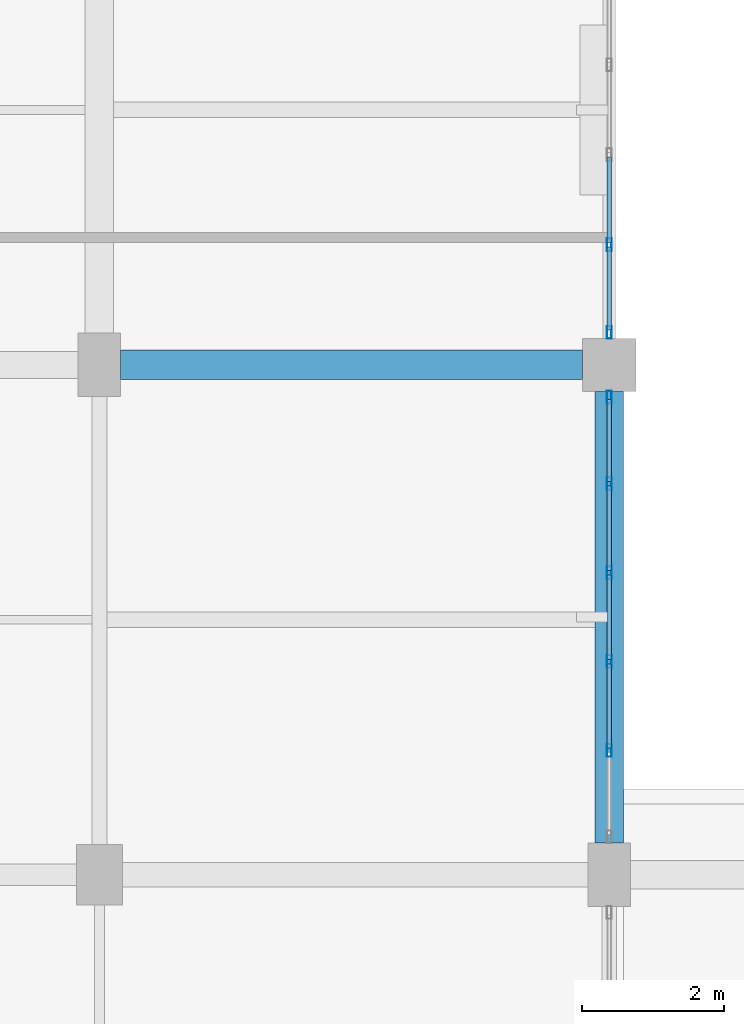
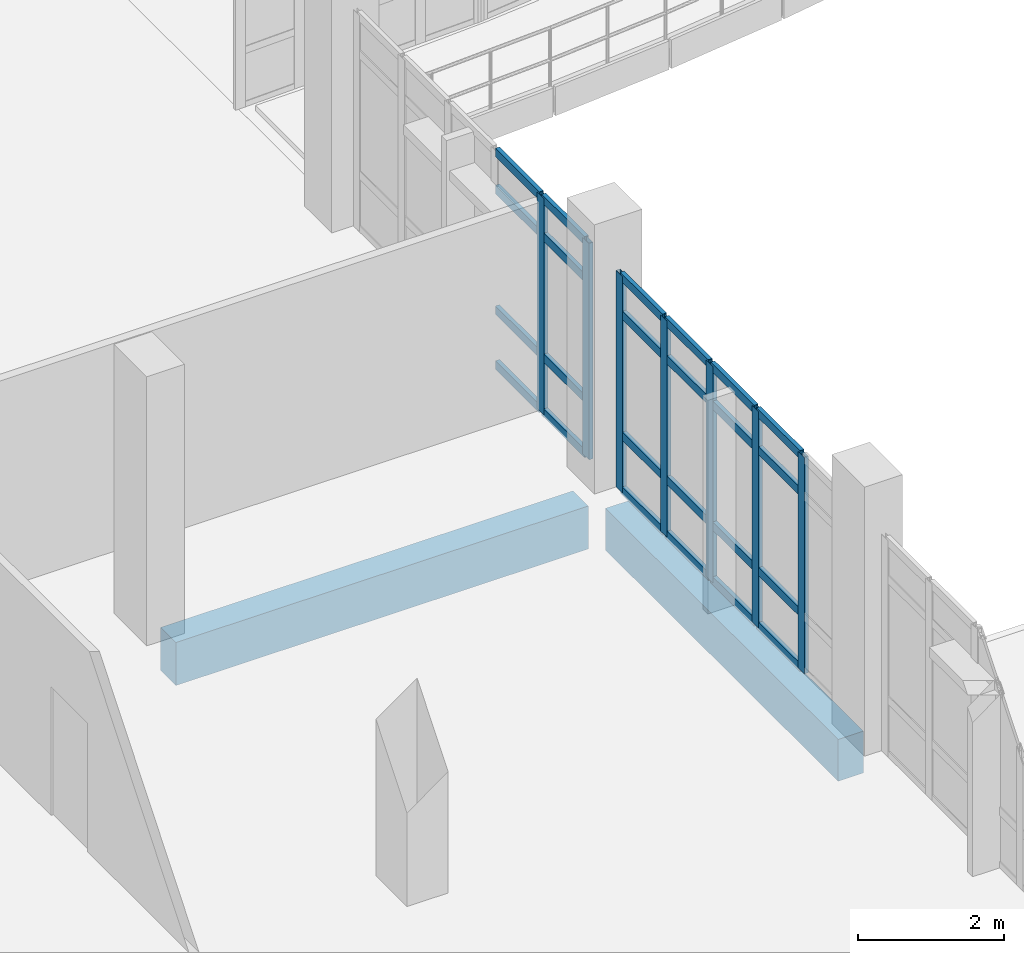
# One storey, part 19 of 134: 31 members, 2 beams, 2 elements without a shape of their own.
"""IFC4 building model written with IfcOpenShell, lengths in metres."""

from ifc_helpers import new_model, si_unit, direction, frame, origin, origin_2d, place, context, subcontext, project, spatial, rectangle, hollow_rectangle, extrude, material, material_profile, profile_set, type_object, element, aggregate, save


model = new_model("IFC4")

# Units and contexts
model_context = context("Model", 3, precision=1e-05, world=origin(), true_north=direction((0.0, 1.0)))
body_context = subcontext(model_context, "Body", "Model", "MODEL_VIEW")
ifc_project = project(units=[si_unit("LENGTHUNIT", "METRE"), si_unit("AREAUNIT", "SQUARE_METRE"), si_unit("VOLUMEUNIT", "CUBIC_METRE"), si_unit("PLANEANGLEUNIT", "RADIAN"), si_unit("MASSUNIT", "GRAM", prefix="KILO")], contexts=[model_context])

# Site, building, storey
site_placement = place(None, origin())
site = spatial("IfcSite", under=ifc_project, at=site_placement, CompositionType="ELEMENT")
building_placement = place(site_placement, origin())
building = spatial("IfcBuilding", under=site, at=building_placement, Name="Kalluvel Institute of Natural Sciences", CompositionType="ELEMENT")
storey_placement = place(building_placement, frame((0.0, 0.0, 5.39990234375)))
storey = spatial("IfcBuildingStorey", under=building, at=storey_placement, Name="L01", CompositionType="ELEMENT", Elevation=5.39990234375)

# Beams
ifc_material_1 = material(Name="Concrete M40", Category="concrete")
ifc_material_profile_1 = material_profile(ifc_material_1, rectangle(XDim=0.39990234375, YDim=0.699951171875, at=origin_2d()), Name="RCB 400x700")
ifc_profile_set_1 = profile_set([ifc_material_profile_1], Name="Concrete M40")
beam_type_1 = type_object("IfcBeamType", Name="BM-RC400x700", PredefinedType="BEAM", material=ifc_profile_set_1)
beam_1_placement = place(storey_placement, frame((35.60009765625, 36.050048828125, -0.64990234375), z_axis=(0.0, 1.0, 0.0), x_axis=(-1.0, 0.0, 0.0)))
element("IfcBeam", 1, at=beam_1_placement, inside=storey, type_object=beam_type_1, Name="L01 girder GIR-L01-NS-X356-Y356", PredefinedType="BEAM", context=body_context, shape_type="SweptSolid", body=[
    extrude(rectangle(XDim=0.39990234375, YDim=0.699951171875, at=origin_2d()), origin(), (0.0, 0.0, 1.0), 6.375),
])
ifc_material_profile_2 = material_profile(ifc_material_1, rectangle(XDim=0.419921875, YDim=0.719970703125, at=origin_2d()), Name="RCB 420x720")
ifc_profile_set_2 = profile_set([ifc_material_profile_2], Name="Concrete M40")
beam_type_2 = type_object("IfcBeamType", Name="BM-RC420x720", PredefinedType="BEAM", material=ifc_profile_set_2)
beam_2_placement = place(storey_placement, frame((28.699951171875, 42.800048828125, -0.659912109375), z_axis=(1.0, 0.0, 0.0), x_axis=(0.0, 1.0, 0.0)))
element("IfcBeam", 2, at=beam_2_placement, inside=storey, type_object=beam_type_2, Name="L01 girder GIR-L01-EW-X284-Y428", PredefinedType="BEAM", context=body_context, shape_type="SweptSolid", body=[
    extrude(rectangle(XDim=0.419921875, YDim=0.719970703125, at=origin_2d()), origin(), (0.0, 0.0, 1.0), 6.525146484375),
])

# Curtain wall, members
ifc_material_2 = material(Name="Aluminium AW-6063 T6", Category="aluminium")
curtain_wall_type = type_object("IfcCurtainWallType", Name="CW-DRY-45", PredefinedType="USERDEFINED", material=ifc_material_2)
curtain_wall_1_placement = place(storey_placement, origin())
curtain_wall_1 = element("IfcCurtainWall", 3, at=curtain_wall_1_placement, inside=storey, type_object=curtain_wall_type, Name="L01 Gothic lancet curtain wall CWA-L01-X356-Y361", ObjectType="UNITISED LANCET FACADE", PredefinedType="USERDEFINED")
ifc_material_profile_3 = material_profile(ifc_material_2, hollow_rectangle(XDim=0.06494140625, YDim=0.179931640625, WallThickness=0.00439453125, at=origin_2d()), Name="CWM 65x180")
ifc_profile_set_3 = profile_set([ifc_material_profile_3], Name="Aluminium AW-6063 T6")
member_type_1 = type_object("IfcMemberType", Name="CWM-65x180", PredefinedType="MULLION", material=ifc_profile_set_3)
member_1_placement = place(storey_placement, frame((35.60009765625, 37.35498046875, 0.0), z_axis=(0.0, 0.0, 1.0), x_axis=(-1.0, 0.0, 0.0)))
member_1 = element("IfcMember", 4, at=member_1_placement, type_object=member_type_1, Name="CW-03 mullion 2", PredefinedType="MULLION", context=body_context, shape_type="SweptSolid", body=[
    extrude(hollow_rectangle(XDim=0.06494140625, YDim=0.179931640625, WallThickness=0.00439453125, at=origin_2d()), origin(), (0.0, 0.0, 1.0), 3.6201171875),
])
member_2_placement = place(storey_placement, frame((35.60009765625, 38.610107421875, 0.0), z_axis=(0.0, 0.0, 1.0), x_axis=(-1.0, 0.0, 0.0)))
member_2 = element("IfcMember", 5, at=member_2_placement, type_object=member_type_1, Name="CW-03 mullion 3", PredefinedType="MULLION", context=body_context, shape_type="SweptSolid", body=[
    extrude(hollow_rectangle(XDim=0.06494140625, YDim=0.179931640625, WallThickness=0.00439453125, at=origin_2d()), origin(), (0.0, 0.0, 1.0), 3.6201171875),
])
member_3_placement = place(storey_placement, frame((35.60009765625, 39.864990234375, 0.0), z_axis=(0.0, 0.0, 1.0), x_axis=(-1.0, 0.0, 0.0)))
member_3 = element("IfcMember", 6, at=member_3_placement, type_object=member_type_1, Name="CW-03 mullion 4", PredefinedType="MULLION", context=body_context, shape_type="SweptSolid", body=[
    extrude(hollow_rectangle(XDim=0.06494140625, YDim=0.179931640625, WallThickness=0.00439453125, at=origin_2d()), origin(), (0.0, 0.0, 1.0), 3.6201171875),
])
member_4_placement = place(storey_placement, frame((35.60009765625, 41.1201171875, 0.0), z_axis=(0.0, 0.0, 1.0), x_axis=(-1.0, 0.0, 0.0)))
member_4 = element("IfcMember", 7, at=member_4_placement, type_object=member_type_1, Name="CW-03 mullion 5", PredefinedType="MULLION", context=body_context, shape_type="SweptSolid", body=[
    extrude(hollow_rectangle(XDim=0.06494140625, YDim=0.179931640625, WallThickness=0.00439453125, at=origin_2d()), origin(), (0.0, 0.0, 1.0), 3.6201171875),
])
member_5_placement = place(storey_placement, frame((35.60009765625, 42.342529296875, 0.0), z_axis=(0.0, 0.0, 1.0), x_axis=(-1.0, 0.0, 0.0)))
member_5 = element("IfcMember", 8, at=member_5_placement, type_object=member_type_1, Name="CW-03 mullion 6", PredefinedType="MULLION", context=body_context, shape_type="SweptSolid", body=[
    extrude(hollow_rectangle(XDim=0.06494140625, YDim=0.179931640625, WallThickness=0.00439453125, at=origin_2d()), origin(), (0.0, 0.0, 1.0), 3.6201171875),
])

curtain_wall_2_placement = place(storey_placement, origin())
curtain_wall_2 = element("IfcCurtainWall", 9, at=curtain_wall_2_placement, inside=storey, type_object=curtain_wall_type, Name="L01 Gothic lancet curtain wall CWA-L01-X356-Y432", ObjectType="UNITISED LANCET FACADE", PredefinedType="USERDEFINED")
member_6_placement = place(storey_placement, frame((35.60009765625, 43.257568359375, 0.0), z_axis=(0.0, 0.0, 1.0), x_axis=(-1.0, 0.0, 0.0)))
member_6 = element("IfcMember", 10, at=member_6_placement, type_object=member_type_1, Name="CW-03 mullion 1", PredefinedType="MULLION", context=body_context, shape_type="SweptSolid", body=[
    extrude(hollow_rectangle(XDim=0.06494140625, YDim=0.179931640625, WallThickness=0.00439453125, at=origin_2d()), origin(), (0.0, 0.0, 1.0), 3.6201171875),
])
member_7_placement = place(storey_placement, frame((35.60009765625, 44.4951171875, 0.0), z_axis=(0.0, 0.0, 1.0), x_axis=(-1.0, 0.0, 0.0)))
member_7 = element("IfcMember", 11, at=member_7_placement, type_object=member_type_1, Name="CW-03 mullion 2", PredefinedType="MULLION", context=body_context, shape_type="SweptSolid", body=[
    extrude(hollow_rectangle(XDim=0.06494140625, YDim=0.179931640625, WallThickness=0.00439453125, at=origin_2d()), origin(), (0.0, 0.0, 1.0), 3.6201171875),
])

# Member
ifc_material_profile_4 = material_profile(ifc_material_2, hollow_rectangle(XDim=0.06494140625, YDim=0.139892578125, WallThickness=0.00439453125, at=origin_2d()), Name="CWT 65x140")
ifc_profile_set_4 = profile_set([ifc_material_profile_4], Name="Aluminium AW-6063 T6")
member_type_2 = type_object("IfcMemberType", Name="CWT-65x140", PredefinedType="USERDEFINED", material=ifc_profile_set_4)
member_8_placement = place(storey_placement, frame((35.60009765625, 37.387451171875, 0.03271484375), z_axis=(0.0, 1.0, 0.0), x_axis=(-1.0, 0.0, 0.0)))
member_8 = element("IfcMember", 12, at=member_8_placement, type_object=member_type_2, Name="CW-03 transom 2.1", ObjectType="TRANSOM", PredefinedType="USERDEFINED", context=body_context, shape_type="SweptSolid", body=[
    extrude(hollow_rectangle(XDim=0.06494140625, YDim=0.139892578125, WallThickness=0.00439453125, at=origin_2d()), origin(), (0.0, 0.0, 1.0), 1.18994140625),
])

member_9_placement = place(storey_placement, frame((35.60009765625, 37.387451171875, 0.9501953125), z_axis=(0.0, 1.0, 0.0), x_axis=(-1.0, 0.0, 0.0)))
member_9 = element("IfcMember", 13, at=member_9_placement, type_object=member_type_2, Name="CW-03 transom 2.2", ObjectType="TRANSOM", PredefinedType="USERDEFINED", context=body_context, shape_type="SweptSolid", body=[
    extrude(hollow_rectangle(XDim=0.06494140625, YDim=0.139892578125, WallThickness=0.00439453125, at=origin_2d()), origin(), (0.0, 0.0, 1.0), 1.18994140625),
])

member_10_placement = place(storey_placement, frame((35.60009765625, 37.387451171875, 2.97021484375), z_axis=(0.0, 1.0, 0.0), x_axis=(-1.0, 0.0, 0.0)))
member_10 = element("IfcMember", 14, at=member_10_placement, type_object=member_type_2, Name="CW-03 transom 2.3", ObjectType="TRANSOM", PredefinedType="USERDEFINED", context=body_context, shape_type="SweptSolid", body=[
    extrude(hollow_rectangle(XDim=0.06494140625, YDim=0.139892578125, WallThickness=0.00439453125, at=origin_2d()), origin(), (0.0, 0.0, 1.0), 1.18994140625),
])

member_11_placement = place(storey_placement, frame((35.60009765625, 37.387451171875, 3.587646484375), z_axis=(0.0, 1.0, 0.0), x_axis=(-1.0, 0.0, 0.0)))
member_11 = element("IfcMember", 15, at=member_11_placement, type_object=member_type_2, Name="CW-03 transom 2.4", ObjectType="TRANSOM", PredefinedType="USERDEFINED", context=body_context, shape_type="SweptSolid", body=[
    extrude(hollow_rectangle(XDim=0.06494140625, YDim=0.139892578125, WallThickness=0.00439453125, at=origin_2d()), origin(), (0.0, 0.0, 1.0), 1.18994140625),
])

member_12_placement = place(storey_placement, frame((35.60009765625, 38.642578125, 0.03271484375), z_axis=(0.0, 1.0, 0.0), x_axis=(-1.0, 0.0, 0.0)))
member_12 = element("IfcMember", 16, at=member_12_placement, type_object=member_type_2, Name="CW-03 transom 3.1", ObjectType="TRANSOM", PredefinedType="USERDEFINED", context=body_context, shape_type="SweptSolid", body=[
    extrude(hollow_rectangle(XDim=0.06494140625, YDim=0.139892578125, WallThickness=0.00439453125, at=origin_2d()), origin(), (0.0, 0.0, 1.0), 1.18994140625),
])

member_13_placement = place(storey_placement, frame((35.60009765625, 38.642578125, 0.9501953125), z_axis=(0.0, 1.0, 0.0), x_axis=(-1.0, 0.0, 0.0)))
member_13 = element("IfcMember", 17, at=member_13_placement, type_object=member_type_2, Name="CW-03 transom 3.2", ObjectType="TRANSOM", PredefinedType="USERDEFINED", context=body_context, shape_type="SweptSolid", body=[
    extrude(hollow_rectangle(XDim=0.06494140625, YDim=0.139892578125, WallThickness=0.00439453125, at=origin_2d()), origin(), (0.0, 0.0, 1.0), 1.18994140625),
])

member_14_placement = place(storey_placement, frame((35.60009765625, 38.642578125, 2.97021484375), z_axis=(0.0, 1.0, 0.0), x_axis=(-1.0, 0.0, 0.0)))
member_14 = element("IfcMember", 18, at=member_14_placement, type_object=member_type_2, Name="CW-03 transom 3.3", ObjectType="TRANSOM", PredefinedType="USERDEFINED", context=body_context, shape_type="SweptSolid", body=[
    extrude(hollow_rectangle(XDim=0.06494140625, YDim=0.139892578125, WallThickness=0.00439453125, at=origin_2d()), origin(), (0.0, 0.0, 1.0), 1.18994140625),
])

member_15_placement = place(storey_placement, frame((35.60009765625, 38.642578125, 3.587646484375), z_axis=(0.0, 1.0, 0.0), x_axis=(-1.0, 0.0, 0.0)))
member_15 = element("IfcMember", 19, at=member_15_placement, type_object=member_type_2, Name="CW-03 transom 3.4", ObjectType="TRANSOM", PredefinedType="USERDEFINED", context=body_context, shape_type="SweptSolid", body=[
    extrude(hollow_rectangle(XDim=0.06494140625, YDim=0.139892578125, WallThickness=0.00439453125, at=origin_2d()), origin(), (0.0, 0.0, 1.0), 1.18994140625),
])

member_16_placement = place(storey_placement, frame((35.60009765625, 39.8974609375, 0.03271484375), z_axis=(0.0, 1.0, 0.0), x_axis=(-1.0, 0.0, 0.0)))
member_16 = element("IfcMember", 20, at=member_16_placement, type_object=member_type_2, Name="CW-03 transom 4.1", ObjectType="TRANSOM", PredefinedType="USERDEFINED", context=body_context, shape_type="SweptSolid", body=[
    extrude(hollow_rectangle(XDim=0.06494140625, YDim=0.139892578125, WallThickness=0.00439453125, at=origin_2d()), origin(), (0.0, 0.0, 1.0), 1.18994140625),
])

member_17_placement = place(storey_placement, frame((35.60009765625, 39.8974609375, 0.9501953125), z_axis=(0.0, 1.0, 0.0), x_axis=(-1.0, 0.0, 0.0)))
member_17 = element("IfcMember", 21, at=member_17_placement, type_object=member_type_2, Name="CW-03 transom 4.2", ObjectType="TRANSOM", PredefinedType="USERDEFINED", context=body_context, shape_type="SweptSolid", body=[
    extrude(hollow_rectangle(XDim=0.06494140625, YDim=0.139892578125, WallThickness=0.00439453125, at=origin_2d()), origin(), (0.0, 0.0, 1.0), 1.18994140625),
])

member_18_placement = place(storey_placement, frame((35.60009765625, 39.8974609375, 2.97021484375), z_axis=(0.0, 1.0, 0.0), x_axis=(-1.0, 0.0, 0.0)))
member_18 = element("IfcMember", 22, at=member_18_placement, type_object=member_type_2, Name="CW-03 transom 4.3", ObjectType="TRANSOM", PredefinedType="USERDEFINED", context=body_context, shape_type="SweptSolid", body=[
    extrude(hollow_rectangle(XDim=0.06494140625, YDim=0.139892578125, WallThickness=0.00439453125, at=origin_2d()), origin(), (0.0, 0.0, 1.0), 1.18994140625),
])

member_19_placement = place(storey_placement, frame((35.60009765625, 39.8974609375, 3.587646484375), z_axis=(0.0, 1.0, 0.0), x_axis=(-1.0, 0.0, 0.0)))
member_19 = element("IfcMember", 23, at=member_19_placement, type_object=member_type_2, Name="CW-03 transom 4.4", ObjectType="TRANSOM", PredefinedType="USERDEFINED", context=body_context, shape_type="SweptSolid", body=[
    extrude(hollow_rectangle(XDim=0.06494140625, YDim=0.139892578125, WallThickness=0.00439453125, at=origin_2d()), origin(), (0.0, 0.0, 1.0), 1.18994140625),
])

member_20_placement = place(storey_placement, frame((35.60009765625, 41.152587890625, 0.03271484375), z_axis=(0.0, 1.0, 0.0), x_axis=(-1.0, 0.0, 0.0)))
member_20 = element("IfcMember", 24, at=member_20_placement, type_object=member_type_2, Name="CW-03 transom 5.1", ObjectType="TRANSOM", PredefinedType="USERDEFINED", context=body_context, shape_type="SweptSolid", body=[
    extrude(hollow_rectangle(XDim=0.06494140625, YDim=0.139892578125, WallThickness=0.00439453125, at=origin_2d()), origin(), (0.0, 0.0, 1.0), 1.157470703125),
])

member_21_placement = place(storey_placement, frame((35.60009765625, 41.152587890625, 0.9501953125), z_axis=(0.0, 1.0, 0.0), x_axis=(-1.0, 0.0, 0.0)))
member_21 = element("IfcMember", 25, at=member_21_placement, type_object=member_type_2, Name="CW-03 transom 5.2", ObjectType="TRANSOM", PredefinedType="USERDEFINED", context=body_context, shape_type="SweptSolid", body=[
    extrude(hollow_rectangle(XDim=0.06494140625, YDim=0.139892578125, WallThickness=0.00439453125, at=origin_2d()), origin(), (0.0, 0.0, 1.0), 1.157470703125),
])

member_22_placement = place(storey_placement, frame((35.60009765625, 41.152587890625, 2.97021484375), z_axis=(0.0, 1.0, 0.0), x_axis=(-1.0, 0.0, 0.0)))
member_22 = element("IfcMember", 26, at=member_22_placement, type_object=member_type_2, Name="CW-03 transom 5.3", ObjectType="TRANSOM", PredefinedType="USERDEFINED", context=body_context, shape_type="SweptSolid", body=[
    extrude(hollow_rectangle(XDim=0.06494140625, YDim=0.139892578125, WallThickness=0.00439453125, at=origin_2d()), origin(), (0.0, 0.0, 1.0), 1.157470703125),
])

member_23_placement = place(storey_placement, frame((35.60009765625, 41.152587890625, 3.587646484375), z_axis=(0.0, 1.0, 0.0), x_axis=(-1.0, 0.0, 0.0)))
member_23 = element("IfcMember", 27, at=member_23_placement, type_object=member_type_2, Name="CW-03 transom 5.4", ObjectType="TRANSOM", PredefinedType="USERDEFINED", context=body_context, shape_type="SweptSolid", body=[
    extrude(hollow_rectangle(XDim=0.06494140625, YDim=0.139892578125, WallThickness=0.00439453125, at=origin_2d()), origin(), (0.0, 0.0, 1.0), 1.157470703125),
])

aggregate(curtain_wall_1, [member_1, member_2, member_3, member_4, member_5, member_8, member_9, member_10, member_11, member_12, member_13, member_14, member_15, member_16, member_17, member_18, member_19, member_20, member_21, member_22, member_23])

member_24_placement = place(storey_placement, frame((35.60009765625, 43.2900390625, 0.03271484375), z_axis=(0.0, 1.0, 0.0), x_axis=(-1.0, 0.0, 0.0)))
member_24 = element("IfcMember", 28, at=member_24_placement, type_object=member_type_2, Name="CW-03 transom 1.1", ObjectType="TRANSOM", PredefinedType="USERDEFINED", context=body_context, shape_type="SweptSolid", body=[
    extrude(hollow_rectangle(XDim=0.06494140625, YDim=0.139892578125, WallThickness=0.00439453125, at=origin_2d()), origin(), (0.0, 0.0, 1.0), 1.17236328125),
])

member_25_placement = place(storey_placement, frame((35.60009765625, 43.2900390625, 0.9501953125), z_axis=(0.0, 1.0, 0.0), x_axis=(-1.0, 0.0, 0.0)))
member_25 = element("IfcMember", 29, at=member_25_placement, type_object=member_type_2, Name="CW-03 transom 1.2", ObjectType="TRANSOM", PredefinedType="USERDEFINED", context=body_context, shape_type="SweptSolid", body=[
    extrude(hollow_rectangle(XDim=0.06494140625, YDim=0.139892578125, WallThickness=0.00439453125, at=origin_2d()), origin(), (0.0, 0.0, 1.0), 1.17236328125),
])

member_26_placement = place(storey_placement, frame((35.60009765625, 43.2900390625, 2.97021484375), z_axis=(0.0, 1.0, 0.0), x_axis=(-1.0, 0.0, 0.0)))
member_26 = element("IfcMember", 30, at=member_26_placement, type_object=member_type_2, Name="CW-03 transom 1.3", ObjectType="TRANSOM", PredefinedType="USERDEFINED", context=body_context, shape_type="SweptSolid", body=[
    extrude(hollow_rectangle(XDim=0.06494140625, YDim=0.139892578125, WallThickness=0.00439453125, at=origin_2d()), origin(), (0.0, 0.0, 1.0), 1.17236328125),
])

member_27_placement = place(storey_placement, frame((35.60009765625, 43.2900390625, 3.587646484375), z_axis=(0.0, 1.0, 0.0), x_axis=(-1.0, 0.0, 0.0)))
member_27 = element("IfcMember", 31, at=member_27_placement, type_object=member_type_2, Name="CW-03 transom 1.4", ObjectType="TRANSOM", PredefinedType="USERDEFINED", context=body_context, shape_type="SweptSolid", body=[
    extrude(hollow_rectangle(XDim=0.06494140625, YDim=0.139892578125, WallThickness=0.00439453125, at=origin_2d()), origin(), (0.0, 0.0, 1.0), 1.17236328125),
])

member_28_placement = place(storey_placement, frame((35.60009765625, 44.527587890625, 0.03271484375), z_axis=(0.0, 1.0, 0.0), x_axis=(-1.0, 0.0, 0.0)))
member_28 = element("IfcMember", 32, at=member_28_placement, type_object=member_type_2, Name="CW-03 transom 2.1", ObjectType="TRANSOM", PredefinedType="USERDEFINED", context=body_context, shape_type="SweptSolid", body=[
    extrude(hollow_rectangle(XDim=0.06494140625, YDim=0.139892578125, WallThickness=0.00439453125, at=origin_2d()), origin(), (0.0, 0.0, 1.0), 1.204833984375),
])

member_29_placement = place(storey_placement, frame((35.60009765625, 44.527587890625, 0.9501953125), z_axis=(0.0, 1.0, 0.0), x_axis=(-1.0, 0.0, 0.0)))
member_29 = element("IfcMember", 33, at=member_29_placement, type_object=member_type_2, Name="CW-03 transom 2.2", ObjectType="TRANSOM", PredefinedType="USERDEFINED", context=body_context, shape_type="SweptSolid", body=[
    extrude(hollow_rectangle(XDim=0.06494140625, YDim=0.139892578125, WallThickness=0.00439453125, at=origin_2d()), origin(), (0.0, 0.0, 1.0), 1.204833984375),
])

member_30_placement = place(storey_placement, frame((35.60009765625, 44.527587890625, 2.97021484375), z_axis=(0.0, 1.0, 0.0), x_axis=(-1.0, 0.0, 0.0)))
member_30 = element("IfcMember", 34, at=member_30_placement, type_object=member_type_2, Name="CW-03 transom 2.3", ObjectType="TRANSOM", PredefinedType="USERDEFINED", context=body_context, shape_type="SweptSolid", body=[
    extrude(hollow_rectangle(XDim=0.06494140625, YDim=0.139892578125, WallThickness=0.00439453125, at=origin_2d()), origin(), (0.0, 0.0, 1.0), 1.204833984375),
])

member_31_placement = place(storey_placement, frame((35.60009765625, 44.527587890625, 3.587646484375), z_axis=(0.0, 1.0, 0.0), x_axis=(-1.0, 0.0, 0.0)))
member_31 = element("IfcMember", 35, at=member_31_placement, type_object=member_type_2, Name="CW-03 transom 2.4", ObjectType="TRANSOM", PredefinedType="USERDEFINED", context=body_context, shape_type="SweptSolid", body=[
    extrude(hollow_rectangle(XDim=0.06494140625, YDim=0.139892578125, WallThickness=0.00439453125, at=origin_2d()), origin(), (0.0, 0.0, 1.0), 1.204833984375),
])

aggregate(curtain_wall_2, [member_6, member_7, member_24, member_25, member_26, member_27, member_28, member_29, member_30, member_31])

save(model, "model.ifc")
